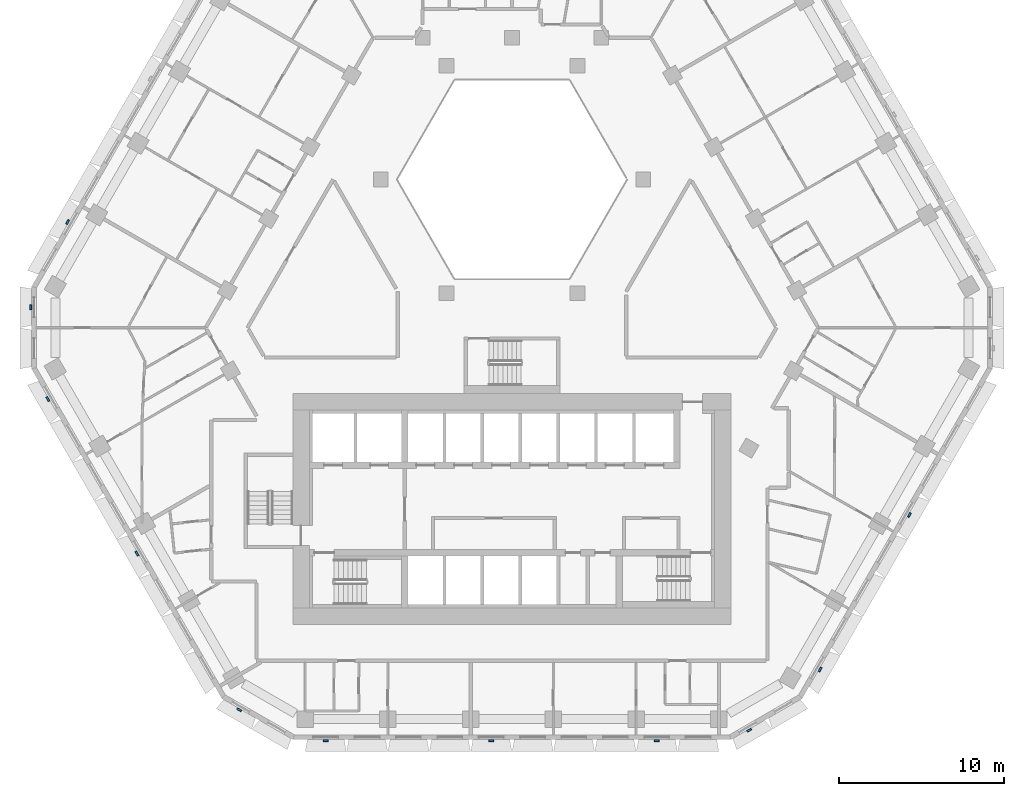
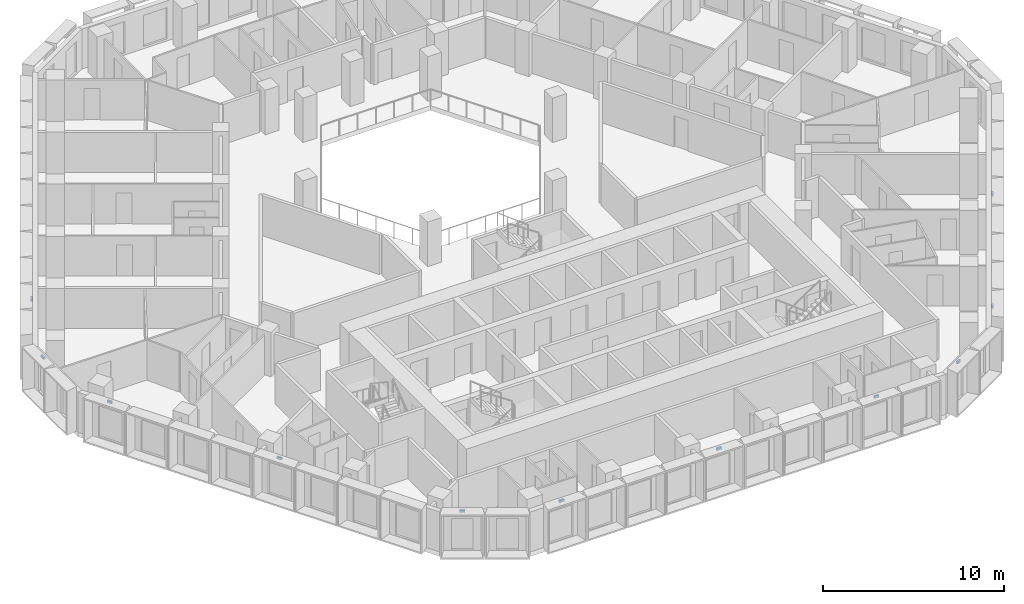
# One storey, part 11 of 18: 11 discrete accessories.
"""IFC4 building model written with IfcOpenShell, lengths in metres."""

import ifcopenshell
import ifcopenshell.guid

model = None  # the IFC model being written
_history = None  # IfcOwnerHistory: only IFC2X3 demands one
_inside = {}  # id of a spatial element -> (the spatial element, [elements in it])
_under = {}  # id of a project, library or spatial element -> (it, [spatial elements below it])
_declared = {}  # id of a project -> (the project, [libraries it declares])
_typed = {}  # id of a type object -> (the type object, [elements of that type])
_made_of = {}  # id of a material, layer set ... -> (it, [elements and type objects made of it])


def new_model(schema):
    """Start an empty IFC model of exactly this schema.

    Asked for "IFC4X3", IfcOpenShell would pick the latest addendum, in which some entities
    have other attributes; the version numbers below select the first issue.
    IFC2X3 requires an IfcOwnerHistory on every rooted entity: one is made here for all.
    """
    global model, _history
    if schema == "IFC4X3":
        model = ifcopenshell.file(schema_version=(4, 3, 0, 0))
    else:
        model = ifcopenshell.file(schema=schema)
    _inside.clear()
    _under.clear()
    _declared.clear()
    _typed.clear()
    _made_of.clear()
    _history = None
    if model.schema == "IFC2X3":
        org = make("IfcOrganization", Name="unknown")
        user = make(
            "IfcPersonAndOrganization",
            ThePerson=make("IfcPerson", FamilyName="unknown"),
            TheOrganization=org,
        )
        app = make(
            "IfcApplication",
            ApplicationDeveloper=org,
            Version="unknown",
            ApplicationFullName="unknown",
            ApplicationIdentifier="unknown",
        )
        _history = make(
            "IfcOwnerHistory",
            OwningUser=user,
            OwningApplication=app,
            ChangeAction="ADDED",
            CreationDate=0,
        )
    return model


def make(cls, **values):
    """One entity of the class cls with the attributes given. An attribute that is None is left unset."""
    return model.create_entity(
        cls, **{name: value for name, value in values.items() if value is not None}
    )


def rooted(cls, **values):
    """An entity with a GlobalId (a new one), such as an element, a storey or a relation."""
    return make(cls, GlobalId=ifcopenshell.guid.new(), OwnerHistory=_history, **values)


def si_unit(unit_type, name, prefix=None):
    """IfcSIUnit, for example si_unit("LENGTHUNIT", "METRE", prefix="MILLI")."""
    return make("IfcSIUnit", UnitType=unit_type, Prefix=prefix, Name=name)


def assignment(units):
    """IfcUnitAssignment: the units of a project."""
    return None if units is None else make("IfcUnitAssignment", Units=units)


def point(xyz):
    """IfcCartesianPoint."""
    return None if xyz is None else make("IfcCartesianPoint", Coordinates=xyz)


def direction(xyz):
    """IfcDirection."""
    return None if xyz is None else make("IfcDirection", DirectionRatios=xyz)


def frame(location, z_axis=None, x_axis=None):
    """IfcAxis2Placement3D, a coordinate frame: its origin and axes. An axis left out is left unset."""
    return make(
        "IfcAxis2Placement3D",
        Location=point(location),
        Axis=direction(z_axis),
        RefDirection=direction(x_axis),
    )


def origin():
    """The frame at (0, 0, 0) with its axes left unset."""
    return frame((0.0, 0.0, 0.0))


def place(relative_to, where):
    """IfcLocalPlacement: puts the frame where relative to a parent placement (None: the world)."""
    return make(
        "IfcLocalPlacement", PlacementRelTo=relative_to, RelativePlacement=where
    )


def context(
    kind, dimensions, precision=None, world=None, true_north=None, identifier=None
):
    """IfcGeometricRepresentationContext, for example the 3D "Model" context."""
    return make(
        "IfcGeometricRepresentationContext",
        ContextIdentifier=identifier,
        ContextType=kind,
        CoordinateSpaceDimension=dimensions,
        Precision=precision,
        WorldCoordinateSystem=world,
        TrueNorth=true_north,
    )


def subcontext(parent, identifier, kind, view, scale=None):
    """IfcGeometricRepresentationSubContext, for example "Body" below "Model"."""
    return make(
        "IfcGeometricRepresentationSubContext",
        ContextIdentifier=identifier,
        ContextType=kind,
        ParentContext=parent,
        TargetScale=scale,
        TargetView=view,
    )


def project(units=None, contexts=None):
    """IfcProject with its units and contexts."""
    return rooted(
        "IfcProject",
        Name="project",
        RepresentationContexts=contexts,
        UnitsInContext=assignment(units),
    )


def spatial(cls, under=None, at=None, **own):
    """A site, building, storey or space (cls), placed at a placement, below another one or the project."""
    s = rooted(cls, ObjectPlacement=at, **own)
    if under is not None:
        _under.setdefault(under.id(), (under, []))[1].append(s)
    return s


def polyline(points):
    """IfcPolyline through the points."""
    return make("IfcPolyline", Points=[point(p) for p in points])


def outline(outer, holes=None, kind="AREA"):
    """IfcArbitraryClosedProfileDef: a profile drawn as a closed curve; with holes, ...WithVoids."""
    if holes is None:
        return make("IfcArbitraryClosedProfileDef", ProfileType=kind, OuterCurve=outer)
    return make(
        "IfcArbitraryProfileDefWithVoids",
        ProfileType=kind,
        OuterCurve=outer,
        InnerCurves=holes,
    )


def extrude(swept, where, along, depth):
    """IfcExtrudedAreaSolid: the profile swept, set in the frame where, extruded along a direction by depth."""
    return make(
        "IfcExtrudedAreaSolid",
        SweptArea=swept,
        Position=where,
        ExtrudedDirection=direction(along),
        Depth=depth,
    )


def shape(context_of_items, identifier, shape_type, items):
    """IfcShapeRepresentation: the items that make up one representation, for example the "Body"."""
    return make(
        "IfcShapeRepresentation",
        ContextOfItems=context_of_items,
        RepresentationIdentifier=identifier,
        RepresentationType=shape_type,
        Items=items,
    )


def source(mapping_origin, context_of_items, identifier, shape_type, items):
    """IfcRepresentationMap: a shape defined once, which mapped items show again and again."""
    return make(
        "IfcRepresentationMap",
        MappingOrigin=mapping_origin,
        MappedRepresentation=shape(context_of_items, identifier, shape_type, items),
    )


def transform(
    local_origin,
    x_axis=None,
    y_axis=None,
    z_axis=None,
    scale=None,
    scale2=None,
    scale3=None,
    uniform=True,
):
    """IfcCartesianTransformationOperator3D, or its non-uniform kind. x_axis, y_axis, z_axis: its Axis1, 2, 3."""
    if uniform:
        return make(
            "IfcCartesianTransformationOperator3D",
            Axis1=direction(x_axis),
            Axis2=direction(y_axis),
            LocalOrigin=point(local_origin),
            Scale=scale,
            Axis3=direction(z_axis),
        )
    return make(
        "IfcCartesianTransformationOperator3DnonUniform",
        Axis1=direction(x_axis),
        Axis2=direction(y_axis),
        LocalOrigin=point(local_origin),
        Scale=scale,
        Axis3=direction(z_axis),
        Scale2=scale2,
        Scale3=scale3,
    )


def mapped(mapping_source, mapping_target):
    """IfcMappedItem: shows the shape of a source again, moved by a transform."""
    return make(
        "IfcMappedItem", MappingSource=mapping_source, MappingTarget=mapping_target
    )


def material(Name=None, Category=None):
    """IfcMaterial."""
    return make("IfcMaterial", Name=Name, Category=Category)


def made_of(thing, what):
    """Note that an element or type object is made of a material, layer set ...; save() writes the relation."""
    if what is not None:
        _made_of.setdefault(what.id(), (what, []))[1].append(thing)
    return thing


def type_object(cls, material=None, **own):
    """A type object (cls), such as IfcWallType, which elements share."""
    return made_of(rooted(cls, **own), material)


def type_shapes(of_type, sources):
    """Give a type object the sources (RepresentationMaps) that its elements show as mapped items."""
    of_type.RepresentationMaps = sources


def element(
    cls,
    number,
    at=None,
    inside=None,
    cuts=None,
    type_object=None,
    material=None,
    context=None,
    identifier="Body",
    shape_type=None,
    held_by="IfcProductDefinitionShape",
    body=None,
    shapes=None,
    **own,
):
    """One element of the class cls, such as IfcWall. Its Tag is "e" and its number.

    at: its placement. inside: the storey or other place that contains it. cuts: it is an
    opening in that element (IfcRelVoidsElement). A single representation is given by context,
    identifier, shape_type and body (its items); several are given by shapes. held_by: the class
    of the entity that holds the representations. save() writes the other relations.
    """
    e = rooted(cls, Tag="e%d" % number, ObjectPlacement=at, **own)
    if body is not None:
        shapes = [shape(context, identifier, shape_type, body)]
    if shapes is not None:
        e.Representation = make(held_by, Representations=shapes)
    if inside is not None:
        _inside.setdefault(inside.id(), (inside, []))[1].append(e)
    if cuts is not None:
        rooted(
            "IfcRelVoidsElement", RelatingBuildingElement=cuts, RelatedOpeningElement=e
        )
    if type_object is not None:
        _typed.setdefault(type_object.id(), (type_object, []))[1].append(e)
    return made_of(e, material)


def aggregate(whole, parts):
    """IfcRelAggregates: a whole, such as a stair, and the parts it consists of."""
    return rooted("IfcRelAggregates", RelatingObject=whole, RelatedObjects=parts)


def save(model, path):
    """Write the relations noted so far, then the file.

    IfcRelAggregates (storeys below a building ...), IfcRelContainedInSpatialStructure (elements
    in a storey), IfcRelDefinesByType, IfcRelAssociatesMaterial and IfcRelDeclares: one each for
    every whole, place, type object, material and project.
    """
    for whole, parts in _under.values():
        aggregate(whole, parts)
    for where, things in _inside.values():
        rooted(
            "IfcRelContainedInSpatialStructure",
            RelatedElements=things,
            RelatingStructure=where,
        )
    for kind, things in _typed.values():
        rooted("IfcRelDefinesByType", RelatedObjects=things, RelatingType=kind)
    for what, things in _made_of.values():
        rooted("IfcRelAssociatesMaterial", RelatedObjects=things, RelatingMaterial=what)
    for by, libraries in _declared.values():
        rooted("IfcRelDeclares", RelatingContext=by, RelatedDefinitions=libraries)
    model.write(path)


model = new_model("IFC4")

# Units and contexts
model_context = context("Model", 3, precision=1e-05, world=origin(), true_north=direction((0.0, 1.0)))
body_context = subcontext(model_context, "Body", "Model", "MODEL_VIEW")
ifc_project = project(units=[si_unit("LENGTHUNIT", "METRE"), si_unit("AREAUNIT", "SQUARE_METRE"), si_unit("VOLUMEUNIT", "CUBIC_METRE"), si_unit("PLANEANGLEUNIT", "RADIAN"), si_unit("MASSUNIT", "GRAM", prefix="KILO")], contexts=[model_context])

# Site, building, storey
site_placement = place(None, origin())
site = spatial("IfcSite", under=ifc_project, at=site_placement, CompositionType="ELEMENT")
building_placement = place(site_placement, origin())
building = spatial("IfcBuilding", under=site, at=building_placement, Name="Beryl Residences", CompositionType="ELEMENT")
storey_placement = place(building_placement, frame((0.0, 0.0, 87.0)))
storey = spatial("IfcBuildingStorey", under=building, at=storey_placement, Name="L26", CompositionType="ELEMENT", Elevation=87.0)

# Discrete accessories
ifc_material = material(Name="Steel S355", Category="steel")
discrete_accessory_type = type_object("IfcDiscreteAccessoryType", Name="BR1 frame bracket 300 x 120 x 150 mm", PredefinedType="BRACKET", material=ifc_material)
shared_shape = source(origin(), body_context, "Body", "SweptSolid", [
    extrude(outline(polyline([(-0.14990234375, 0.0), (0.14990234375, 0.0), (0.14990234375, 0.1201171875), (-0.14990234375, 0.1201171875), (-0.14990234375, 0.0)])), origin(), (0.0, 0.0, 1.0), 0.14990234375),
])
type_shapes(discrete_accessory_type, [shared_shape])
for number, where, z_axis, x_axis, name in (
    (1, (-26.912109375, 5.387939453125, 2.75), (0.0, 0.0, 1.0), (0.5, 0.866025403784, 0.0), "BR1 bracket L26 NW 9"),
    (2, (-29.156982421875, 0.25, 2.75), (0.0, 0.0, 1.0), (0.0, 1.0, 0.0), "BR1 bracket L26 NW-SW 1"),
    (3, (-28.118896484375, -5.2958984375, 2.75), (0.0, 0.0, 1.0), (-0.5, 0.866025403784, 0.0), "BR1 bracket L26 SW 1"),
    (4, (-22.7060546875, -14.672119140625, 2.75), (0.0, 0.0, 1.0), (-0.5, 0.866025403784, 0.0), "BR1 bracket L26 SW 5"),
    (5, (-16.527099609375, -24.125, 2.75), (0.0, 0.0, 1.0), (-0.866025403784, 0.5, 0.0), "BR1 bracket L26 SW-S 1"),
    (6, (-11.301025390625, -26.0, 2.75), (0.0, 0.0, 1.0), (-1.0, 0.0, 0.0), "BR1 bracket L26 S 1"),
    (7, (-1.2548828125, -26.0, 2.75), (0.0, 0.0, 1.0), (-1.0, 0.0, 0.0), "BR1 bracket L26 S 5"),
    (8, (8.791015625, -26.0, 2.75), (0.0, 0.0, 1.0), (-1.0, 0.0, 0.0), "BR1 bracket L26 S 9"),
    (9, (14.361083984375, -25.375, 2.75), (0.0, 0.0, 1.0), (-0.866025403784, -0.5, 0.0), "BR1 bracket L26 S-SE 1"),
    (10, (18.64697265625, -21.7041015625, 2.75), (0.0, 0.0, 1.0), (-0.5, -0.866025403784, 0.0), "BR1 bracket L26 SE 1"),
    (11, (24.06005859375, -12.327880859375, 2.75), (0.0, 0.0, 1.0), (-0.5, -0.866025403784, 0.0), "BR1 bracket L26 SE 5"),
):
    element("IfcDiscreteAccessory", number, at=place(storey_placement, frame(where, z_axis=z_axis, x_axis=x_axis)), inside=storey, type_object=discrete_accessory_type, Name=name, PredefinedType="BRACKET", context=body_context, shape_type="MappedRepresentation", body=[
        mapped(shared_shape, transform((0.0, 0.0, 0.0))),
    ])

save(model, "model.ifc")
